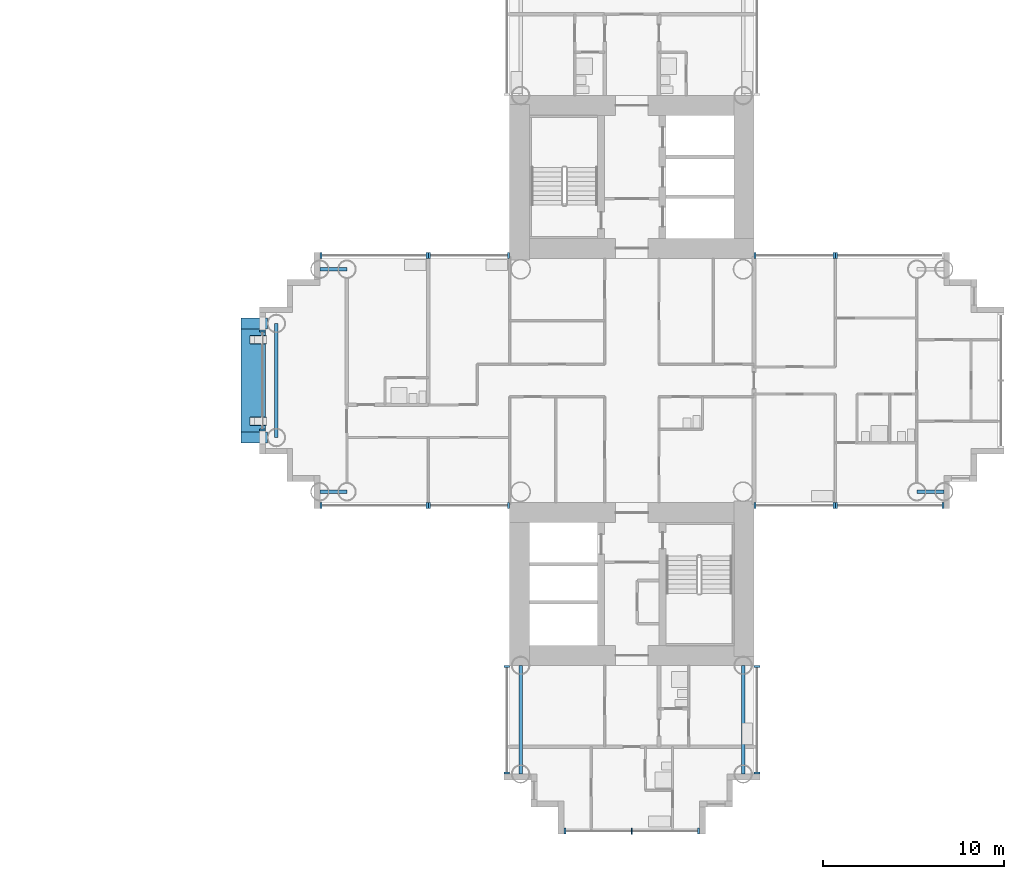
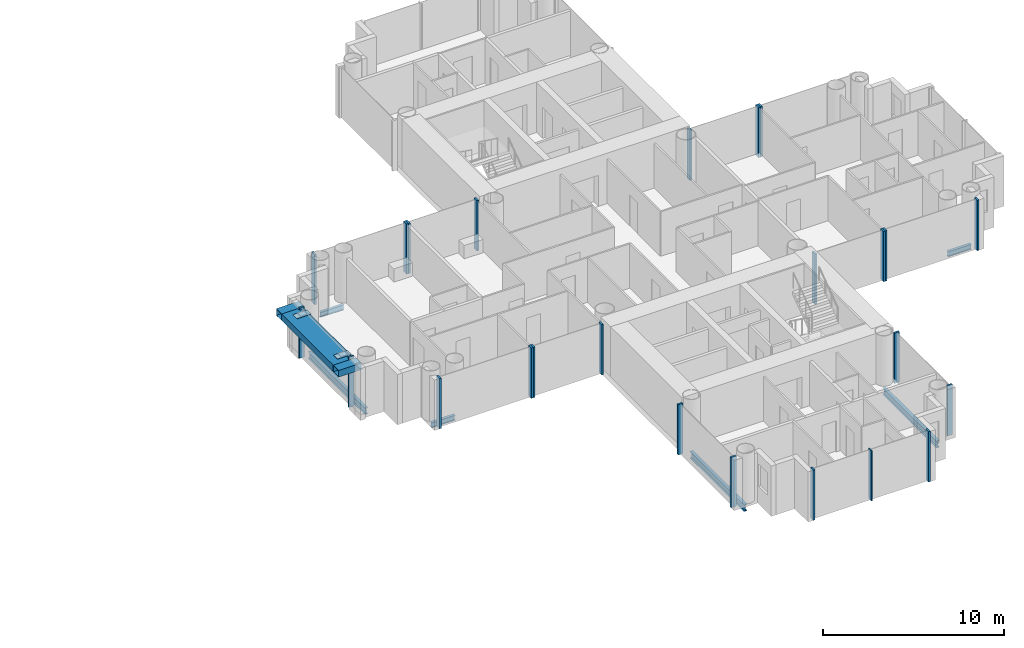
# One storey, part 5 of 22: 26 members, 9 beams, 12 elements without a shape of their own.
"""IFC4 building model written with IfcOpenShell, lengths in metres."""

from ifc_helpers import new_model, si_unit, direction, frame, origin, origin_2d, place, context, subcontext, project, spatial, rectangle, hollow_rectangle, i_section, extrude, material, layer, layer_set, material_profile, profile_set, type_object, element, aggregate, save


model = new_model("IFC4")

# Units and contexts
model_context = context("Model", 3, precision=1e-05, world=origin(), true_north=direction((0.0, 1.0)))
body_context = subcontext(model_context, "Body", "Model", "MODEL_VIEW")
ifc_project = project(units=[si_unit("LENGTHUNIT", "METRE"), si_unit("AREAUNIT", "SQUARE_METRE"), si_unit("VOLUMEUNIT", "CUBIC_METRE"), si_unit("PLANEANGLEUNIT", "RADIAN"), si_unit("MASSUNIT", "GRAM", prefix="KILO")], contexts=[model_context])

# Site, building, storey
site_placement = place(None, origin())
site = spatial("IfcSite", under=ifc_project, at=site_placement, CompositionType="ELEMENT")
building_placement = place(site_placement, origin())
building = spatial("IfcBuilding", under=site, at=building_placement, Name="Ipe Terrace Towers", CompositionType="ELEMENT")
storey_placement = place(building_placement, frame((0.0, 0.0, 68.699951171875)))
storey = spatial("IfcBuildingStorey", under=building, at=storey_placement, Name="L18", CompositionType="ELEMENT", Elevation=68.699951171875)

# Beams
ifc_material_1 = material(Name="Steel S355", Category="steel")
ifc_material_profile_1 = material_profile(ifc_material_1, hollow_rectangle(XDim=0.60009765625, YDim=0.449951171875, WallThickness=0.02490234375, at=origin_2d()), Name="BRIDGE-CORBEL BOX 600x450x25")
ifc_profile_set_1 = profile_set([ifc_material_profile_1], Name="Steel S355")
beam_type_1 = type_object("IfcBeamType", Name="BRIDGE-CORBEL BOX 600x450x25", PredefinedType="USERDEFINED", material=ifc_profile_set_1)
for number, where, z_axis, x_axis, name in (
    (1, (15.85107421875, -3.14990234375, 2.7451171875), (-1.0, 0.0, 0.0), (0.0, -1.0, 0.0), "BR1-CB-T2-S bearing seat arm"),
    (2, (15.85107421875, 3.14990234375, 2.7451171875), (-1.0, 0.0, 0.0), (0.0, -1.0, 0.0), "BR1-CB-T2-N bearing seat arm"),
):
    element("IfcBeam", number, at=place(storey_placement, frame(where, z_axis=z_axis, x_axis=x_axis)), inside=storey, type_object=beam_type_1, Name=name, ObjectType="CORBEL", PredefinedType="USERDEFINED", context=body_context, shape_type="SweptSolid", body=[
        extrude(hollow_rectangle(XDim=0.60009765625, YDim=0.449951171875, WallThickness=0.02490234375, at=origin_2d()), origin(), (0.0, 0.0, 1.0), 1.451171875),
    ])
ifc_material_2 = material(Name="Steel S355", Category="steel")
ifc_material_profile_2 = material_profile(ifc_material_2, hollow_rectangle(XDim=1.35009765625, YDim=0.449951171875, WallThickness=0.02490234375, at=origin_2d()), Name="BRIDGE-SEAT BEAM BOX 1350x450x25")
ifc_profile_set_2 = profile_set([ifc_material_profile_2], Name="Steel S355")
beam_type_2 = type_object("IfcBeamType", Name="BRIDGE-SEAT BEAM BOX 1350x450x25", PredefinedType="USERDEFINED", material=ifc_profile_set_2)
beam_1_placement = place(storey_placement, frame((15.074951171875, -2.85009765625, 2.7451171875), z_axis=(0.0, 1.0, 0.0), x_axis=(-1.0, 0.0, 0.0)))
element("IfcBeam", 3, at=beam_1_placement, inside=storey, type_object=beam_type_2, Name="BR1-SB-T2 bearing seat beam", ObjectType="SEAT BEAM", PredefinedType="USERDEFINED", context=body_context, shape_type="SweptSolid", body=[
    extrude(hollow_rectangle(XDim=1.35009765625, YDim=0.449951171875, WallThickness=0.02490234375, at=origin_2d()), origin(), (0.0, 0.0, 1.0), 5.7001953125),
])

# Members
ifc_material_3 = material(Name="Steel S355", Category="steel")
member_type_1 = type_object("IfcMemberType", Name="BRIDGE-SLIDE PLATE 900x450x10", PredefinedType="PLATE", material=ifc_material_3)
for number, where, z_axis, x_axis, name in (
    (4, (15.35009765625, -2.25, 2.97021484375), (0.0, 0.0, 1.0), (1.0, 0.0, 0.0), "BR1-PL-T2-S slide plate"),
    (5, (15.35009765625, 2.25, 2.97021484375), (0.0, 0.0, 1.0), (1.0, 0.0, 0.0), "BR1-PL-T2-N slide plate"),
):
    element("IfcMember", number, at=place(storey_placement, frame(where, z_axis=z_axis, x_axis=x_axis)), inside=storey, type_object=member_type_1, Name=name, PredefinedType="PLATE", context=body_context, shape_type="SweptSolid", body=[
        extrude(rectangle(XDim=0.89990234375, YDim=0.449951171875, at=origin_2d()), origin(), (0.0, 0.0, 1.0), 0.010009765625),
    ])

# Beams
ifc_material_4 = material(Name="Steel S355", Category="steel")
ifc_material_profile_3 = material_profile(ifc_material_4, i_section(OverallWidth=0.175048828125, OverallDepth=0.35009765625, WebThickness=0.007080078125, FlangeThickness=0.010986328125, at=origin_2d()), Name="H-350x175x7x11")
ifc_profile_set_3 = profile_set([ifc_material_profile_3], Name="Steel S355")
beam_type_3 = type_object("IfcBeamType", Name="H04 EDGE BEAM H-350x175x7x11", PredefinedType="BEAM", material=ifc_profile_set_3)
for number, where, z_axis, x_axis, name in (
    (6, (20.25, 6.14990234375, -0.574951171875), (-1.0, 0.0, 0.0), (0.0, -1.0, 0.0), "Edge beam T2-EB-B03-B05"),
    (7, (20.25, -6.14990234375, -0.574951171875), (-1.0, 0.0, 0.0), (0.0, -1.0, 0.0), "Edge beam T2-EB-B04-B06"),
    (8, (51.75, -6.14990234375, -0.574951171875), (1.0, 0.0, 0.0), (0.0, 1.0, 0.0), "Edge beam T2-EB-D03-D05"),
):
    element("IfcBeam", number, at=place(storey_placement, frame(where, z_axis=z_axis, x_axis=x_axis)), inside=storey, type_object=beam_type_3, Name=name, PredefinedType="BEAM", context=body_context, shape_type="SweptSolid", body=[
        extrude(i_section(OverallWidth=0.175048828125, OverallDepth=0.35009765625, WebThickness=0.007080078125, FlangeThickness=0.010986328125, at=origin_2d()), origin(), (0.0, 0.0, 1.0), 1.5),
    ])
ifc_material_5 = material(Name="Steel S355", Category="steel")
ifc_material_profile_4 = material_profile(ifc_material_5, i_section(OverallWidth=0.199951171875, OverallDepth=0.449951171875, WebThickness=0.009033203125, FlangeThickness=0.013916015625, at=origin_2d()), Name="H-450x200x9x14")
ifc_profile_set_4 = profile_set([ifc_material_profile_4], Name="Steel S355")
beam_type_4 = type_object("IfcBeamType", Name="H08 EDGE BEAM H-450x200x9x14", PredefinedType="BEAM", material=ifc_profile_set_4)
beam_2_placement = place(storey_placement, frame((16.35009765625, 3.14990234375, -0.625), z_axis=(0.0, -1.0, 0.0), x_axis=(1.0, 0.0, 0.0)))
element("IfcBeam", 9, at=beam_2_placement, inside=storey, type_object=beam_type_4, Name="Edge beam T2-EB-B07-B08", PredefinedType="BEAM", context=body_context, shape_type="SweptSolid", body=[
    extrude(i_section(OverallWidth=0.199951171875, OverallDepth=0.449951171875, WebThickness=0.009033203125, FlangeThickness=0.013916015625, at=origin_2d()), origin(), (0.0, 0.0, 1.0), 6.2998046875),
])
for number, where, z_axis, x_axis, name in (
    (10, (42.14990234375, -15.75, -0.625), (0.0, -1.0, 0.0), (1.0, 0.0, 0.0), "Edge beam T2-EB-C01-C03"),
    (11, (29.85009765625, -15.75, -0.625), (0.0, -1.0, 0.0), (1.0, 0.0, 0.0), "Edge beam T2-EB-C02-C04"),
):
    element("IfcBeam", number, at=place(storey_placement, frame(where, z_axis=z_axis, x_axis=x_axis)), inside=storey, type_object=beam_type_4, Name=name, PredefinedType="BEAM", context=body_context, shape_type="SweptSolid", body=[
        extrude(i_section(OverallWidth=0.199951171875, OverallDepth=0.449951171875, WebThickness=0.009033203125, FlangeThickness=0.013916015625, at=origin_2d()), origin(), (0.0, 0.0, 1.0), 6.0),
    ])

# Curtain wall, members
ifc_material_6 = material(Name="Aluminium alloy 6063-T6", Category="aluminium")
ifc_layer = layer(ifc_material_6, 0.320068359375)
ifc_layer_set = layer_set([ifc_layer], Name="TOWER UNITISED CURTAIN WALL")
curtain_wall_type = type_object("IfcCurtainWallType", Name="TOWER UNITISED CURTAIN WALL", PredefinedType="NOTDEFINED", material=ifc_layer_set)
curtain_wall_1_placement = place(storey_placement, origin())
curtain_wall_1 = element("IfcCurtainWall", 12, at=curtain_wall_1_placement, inside=storey, type_object=curtain_wall_type, Name="T2-CW-L18-04a curtain wall", PredefinedType="NOTDEFINED")
ifc_material_7 = material(Name="Aluminium alloy 6063-T6", Category="aluminium")
ifc_material_profile_5 = material_profile(ifc_material_7, rectangle(XDim=0.320068359375, YDim=0.1201171875, at=origin_2d()), Name="TOWER UNITISED CORNER MULLION 320 x 120")
ifc_profile_set_5 = profile_set([ifc_material_profile_5], Name="Aluminium alloy 6063-T6")
member_type_2 = type_object("IfcMemberType", Name="TOWER UNITISED CORNER MULLION 320 x 120", PredefinedType="MULLION", material=ifc_profile_set_5)
member_1_placement = place(storey_placement, frame((42.909912109375, -21.68994140625, -0.300048828125), z_axis=(0.0, 0.0, 1.0), x_axis=(1.0, 0.0, 0.0)))
member_1 = element("IfcMember", 13, at=member_1_placement, type_object=member_type_2, Name="T2-CW-L18-04a mullion 1", PredefinedType="MULLION", context=body_context, shape_type="SweptSolid", body=[
    extrude(rectangle(XDim=0.320068359375, YDim=0.1201171875, at=origin_2d()), origin(), (0.0, 0.0, 1.0), 3.400146484375),
])
member_2_placement = place(storey_placement, frame((42.909912109375, -15.81103515625, -0.300048828125), z_axis=(0.0, 0.0, 1.0), x_axis=(1.0, 0.0, 0.0)))
member_2 = element("IfcMember", 14, at=member_2_placement, type_object=member_type_2, Name="T2-CW-L18-04a mullion 2", PredefinedType="MULLION", context=body_context, shape_type="SweptSolid", body=[
    extrude(rectangle(XDim=0.320068359375, YDim=0.1201171875, at=origin_2d()), origin(), (0.0, 0.0, 1.0), 3.400146484375),
])
aggregate(curtain_wall_1, [member_1, member_2])

curtain_wall_2_placement = place(storey_placement, origin())
curtain_wall_2 = element("IfcCurtainWall", 15, at=curtain_wall_2_placement, inside=storey, type_object=curtain_wall_type, Name="T2-CW-L18-06a curtain wall", PredefinedType="NOTDEFINED")
member_3_placement = place(storey_placement, frame((42.81005859375, -6.909912109375, -0.300048828125), z_axis=(0.0, 0.0, 1.0), x_axis=(0.0, -1.0, 0.0)))
member_3 = element("IfcMember", 16, at=member_3_placement, type_object=member_type_2, Name="T2-CW-L18-06a mullion 1", PredefinedType="MULLION", context=body_context, shape_type="SweptSolid", body=[
    extrude(rectangle(XDim=0.320068359375, YDim=0.1201171875, at=origin_2d()), origin(), (0.0, 0.0, 1.0), 3.400146484375),
])
member_4_placement = place(storey_placement, frame((47.18994140625, -6.909912109375, -0.300048828125), z_axis=(0.0, 0.0, 1.0), x_axis=(0.0, -1.0, 0.0)))
member_4 = element("IfcMember", 17, at=member_4_placement, type_object=member_type_2, Name="T2-CW-L18-06a mullion 2", PredefinedType="MULLION", context=body_context, shape_type="SweptSolid", body=[
    extrude(rectangle(XDim=0.320068359375, YDim=0.1201171875, at=origin_2d()), origin(), (0.0, 0.0, 1.0), 3.400146484375),
])
aggregate(curtain_wall_2, [member_3, member_4])

curtain_wall_3_placement = place(storey_placement, origin())
curtain_wall_3 = element("IfcCurtainWall", 18, at=curtain_wall_3_placement, inside=storey, type_object=curtain_wall_type, Name="T2-CW-L18-07a curtain wall", PredefinedType="NOTDEFINED")
member_5_placement = place(storey_placement, frame((47.31005859375, -6.909912109375, -0.300048828125), z_axis=(0.0, 0.0, 1.0), x_axis=(0.0, -1.0, 0.0)))
member_5 = element("IfcMember", 19, at=member_5_placement, type_object=member_type_2, Name="T2-CW-L18-07a mullion 1", PredefinedType="MULLION", context=body_context, shape_type="SweptSolid", body=[
    extrude(rectangle(XDim=0.320068359375, YDim=0.1201171875, at=origin_2d()), origin(), (0.0, 0.0, 1.0), 3.400146484375),
])
member_6_placement = place(storey_placement, frame((53.18994140625, -6.909912109375, -0.300048828125), z_axis=(0.0, 0.0, 1.0), x_axis=(0.0, -1.0, 0.0)))
member_6 = element("IfcMember", 20, at=member_6_placement, type_object=member_type_2, Name="T2-CW-L18-07a mullion 2", PredefinedType="MULLION", context=body_context, shape_type="SweptSolid", body=[
    extrude(rectangle(XDim=0.320068359375, YDim=0.1201171875, at=origin_2d()), origin(), (0.0, 0.0, 1.0), 3.400146484375),
])
aggregate(curtain_wall_3, [member_5, member_6])

# Curtain wall, member
curtain_wall_4_placement = place(storey_placement, origin())
curtain_wall_4 = element("IfcCurtainWall", 21, at=curtain_wall_4_placement, inside=storey, type_object=curtain_wall_type, Name="T2-CW-L18-17a curtain wall", PredefinedType="NOTDEFINED")
member_7_placement = place(storey_placement, frame((47.31005859375, 6.909912109375, -0.300048828125), z_axis=(0.0, 0.0, 1.0), x_axis=(0.0, 1.0, 0.0)))
member_7 = element("IfcMember", 22, at=member_7_placement, type_object=member_type_2, Name="T2-CW-L18-17a mullion 2", PredefinedType="MULLION", context=body_context, shape_type="SweptSolid", body=[
    extrude(rectangle(XDim=0.320068359375, YDim=0.1201171875, at=origin_2d()), origin(), (0.0, 0.0, 1.0), 3.400146484375),
])
aggregate(curtain_wall_4, [member_7])

# Curtain wall, members
curtain_wall_5_placement = place(storey_placement, origin())
curtain_wall_5 = element("IfcCurtainWall", 23, at=curtain_wall_5_placement, inside=storey, type_object=curtain_wall_type, Name="T2-CW-L18-18a curtain wall", PredefinedType="NOTDEFINED")
member_8_placement = place(storey_placement, frame((47.18994140625, 6.909912109375, -0.300048828125), z_axis=(0.0, 0.0, 1.0), x_axis=(0.0, 1.0, 0.0)))
member_8 = element("IfcMember", 24, at=member_8_placement, type_object=member_type_2, Name="T2-CW-L18-18a mullion 1", PredefinedType="MULLION", context=body_context, shape_type="SweptSolid", body=[
    extrude(rectangle(XDim=0.320068359375, YDim=0.1201171875, at=origin_2d()), origin(), (0.0, 0.0, 1.0), 3.400146484375),
])
member_9_placement = place(storey_placement, frame((42.81005859375, 6.909912109375, -0.300048828125), z_axis=(0.0, 0.0, 1.0), x_axis=(0.0, 1.0, 0.0)))
member_9 = element("IfcMember", 25, at=member_9_placement, type_object=member_type_2, Name="T2-CW-L18-18a mullion 2", PredefinedType="MULLION", context=body_context, shape_type="SweptSolid", body=[
    extrude(rectangle(XDim=0.320068359375, YDim=0.1201171875, at=origin_2d()), origin(), (0.0, 0.0, 1.0), 3.400146484375),
])
aggregate(curtain_wall_5, [member_8, member_9])

curtain_wall_6_placement = place(storey_placement, origin())
curtain_wall_6 = element("IfcCurtainWall", 26, at=curtain_wall_6_placement, inside=storey, type_object=curtain_wall_type, Name="T2-CW-L18-32a curtain wall", PredefinedType="NOTDEFINED")
member_10_placement = place(storey_placement, frame((29.18994140625, 6.909912109375, -0.300048828125), z_axis=(0.0, 0.0, 1.0), x_axis=(0.0, 1.0, 0.0)))
member_10 = element("IfcMember", 27, at=member_10_placement, type_object=member_type_2, Name="T2-CW-L18-32a mullion 1", PredefinedType="MULLION", context=body_context, shape_type="SweptSolid", body=[
    extrude(rectangle(XDim=0.320068359375, YDim=0.1201171875, at=origin_2d()), origin(), (0.0, 0.0, 1.0), 3.400146484375),
])
member_11_placement = place(storey_placement, frame((24.81005859375, 6.909912109375, -0.300048828125), z_axis=(0.0, 0.0, 1.0), x_axis=(0.0, 1.0, 0.0)))
member_11 = element("IfcMember", 28, at=member_11_placement, type_object=member_type_2, Name="T2-CW-L18-32a mullion 2", PredefinedType="MULLION", context=body_context, shape_type="SweptSolid", body=[
    extrude(rectangle(XDim=0.320068359375, YDim=0.1201171875, at=origin_2d()), origin(), (0.0, 0.0, 1.0), 3.400146484375),
])
aggregate(curtain_wall_6, [member_10, member_11])

curtain_wall_7_placement = place(storey_placement, origin())
curtain_wall_7 = element("IfcCurtainWall", 29, at=curtain_wall_7_placement, inside=storey, type_object=curtain_wall_type, Name="T2-CW-L18-33a curtain wall", PredefinedType="NOTDEFINED")
member_12_placement = place(storey_placement, frame((24.68994140625, 6.909912109375, -0.300048828125), z_axis=(0.0, 0.0, 1.0), x_axis=(0.0, 1.0, 0.0)))
member_12 = element("IfcMember", 30, at=member_12_placement, type_object=member_type_2, Name="T2-CW-L18-33a mullion 1", PredefinedType="MULLION", context=body_context, shape_type="SweptSolid", body=[
    extrude(rectangle(XDim=0.320068359375, YDim=0.1201171875, at=origin_2d()), origin(), (0.0, 0.0, 1.0), 3.400146484375),
])
member_13_placement = place(storey_placement, frame((18.81005859375, 6.909912109375, -0.300048828125), z_axis=(0.0, 0.0, 1.0), x_axis=(0.0, 1.0, 0.0)))
member_13 = element("IfcMember", 31, at=member_13_placement, type_object=member_type_2, Name="T2-CW-L18-33a mullion 2", PredefinedType="MULLION", context=body_context, shape_type="SweptSolid", body=[
    extrude(rectangle(XDim=0.320068359375, YDim=0.1201171875, at=origin_2d()), origin(), (0.0, 0.0, 1.0), 3.400146484375),
])
aggregate(curtain_wall_7, [member_12, member_13])

curtain_wall_8_placement = place(storey_placement, origin())
curtain_wall_8 = element("IfcCurtainWall", 32, at=curtain_wall_8_placement, inside=storey, type_object=curtain_wall_type, Name="T2-CW-L18-38d curtain wall", PredefinedType="NOTDEFINED")
member_14_placement = place(storey_placement, frame((15.590087890625, 2.739990234375, -0.300048828125), z_axis=(0.0, 0.0, 1.0), x_axis=(-1.0, 0.0, 0.0)))
member_14 = element("IfcMember", 33, at=member_14_placement, type_object=member_type_2, Name="T2-CW-L18-38d mullion 1", PredefinedType="MULLION", context=body_context, shape_type="SweptSolid", body=[
    extrude(rectangle(XDim=0.320068359375, YDim=0.1201171875, at=origin_2d()), origin(), (0.0, 0.0, 1.0), 3.400146484375),
])
member_15_placement = place(storey_placement, frame((15.590087890625, -2.739990234375, -0.300048828125), z_axis=(0.0, 0.0, 1.0), x_axis=(-1.0, 0.0, 0.0)))
member_15 = element("IfcMember", 34, at=member_15_placement, type_object=member_type_2, Name="T2-CW-L18-38d mullion 2", PredefinedType="MULLION", context=body_context, shape_type="SweptSolid", body=[
    extrude(rectangle(XDim=0.320068359375, YDim=0.1201171875, at=origin_2d()), origin(), (0.0, 0.0, 1.0), 3.400146484375),
])
aggregate(curtain_wall_8, [member_14, member_15])

curtain_wall_9_placement = place(storey_placement, origin())
curtain_wall_9 = element("IfcCurtainWall", 35, at=curtain_wall_9_placement, inside=storey, type_object=curtain_wall_type, Name="T2-CW-L18-43a curtain wall", PredefinedType="NOTDEFINED")
member_16_placement = place(storey_placement, frame((18.81005859375, -6.909912109375, -0.300048828125), z_axis=(0.0, 0.0, 1.0), x_axis=(0.0, -1.0, 0.0)))
member_16 = element("IfcMember", 36, at=member_16_placement, type_object=member_type_2, Name="T2-CW-L18-43a mullion 1", PredefinedType="MULLION", context=body_context, shape_type="SweptSolid", body=[
    extrude(rectangle(XDim=0.320068359375, YDim=0.1201171875, at=origin_2d()), origin(), (0.0, 0.0, 1.0), 3.400146484375),
])
member_17_placement = place(storey_placement, frame((24.68994140625, -6.909912109375, -0.300048828125), z_axis=(0.0, 0.0, 1.0), x_axis=(0.0, -1.0, 0.0)))
member_17 = element("IfcMember", 37, at=member_17_placement, type_object=member_type_2, Name="T2-CW-L18-43a mullion 2", PredefinedType="MULLION", context=body_context, shape_type="SweptSolid", body=[
    extrude(rectangle(XDim=0.320068359375, YDim=0.1201171875, at=origin_2d()), origin(), (0.0, 0.0, 1.0), 3.400146484375),
])
aggregate(curtain_wall_9, [member_16, member_17])

curtain_wall_10_placement = place(storey_placement, origin())
curtain_wall_10 = element("IfcCurtainWall", 38, at=curtain_wall_10_placement, inside=storey, type_object=curtain_wall_type, Name="T2-CW-L18-44a curtain wall", PredefinedType="NOTDEFINED")
member_18_placement = place(storey_placement, frame((24.81005859375, -6.909912109375, -0.300048828125), z_axis=(0.0, 0.0, 1.0), x_axis=(0.0, -1.0, 0.0)))
member_18 = element("IfcMember", 39, at=member_18_placement, type_object=member_type_2, Name="T2-CW-L18-44a mullion 1", PredefinedType="MULLION", context=body_context, shape_type="SweptSolid", body=[
    extrude(rectangle(XDim=0.320068359375, YDim=0.1201171875, at=origin_2d()), origin(), (0.0, 0.0, 1.0), 3.400146484375),
])
member_19_placement = place(storey_placement, frame((29.18994140625, -6.909912109375, -0.300048828125), z_axis=(0.0, 0.0, 1.0), x_axis=(0.0, -1.0, 0.0)))
member_19 = element("IfcMember", 40, at=member_19_placement, type_object=member_type_2, Name="T2-CW-L18-44a mullion 2", PredefinedType="MULLION", context=body_context, shape_type="SweptSolid", body=[
    extrude(rectangle(XDim=0.320068359375, YDim=0.1201171875, at=origin_2d()), origin(), (0.0, 0.0, 1.0), 3.400146484375),
])
aggregate(curtain_wall_10, [member_18, member_19])

curtain_wall_11_placement = place(storey_placement, origin())
curtain_wall_11 = element("IfcCurtainWall", 41, at=curtain_wall_11_placement, inside=storey, type_object=curtain_wall_type, Name="T2-CW-L18-46b curtain wall", PredefinedType="NOTDEFINED")
member_20_placement = place(storey_placement, frame((29.090087890625, -15.81103515625, -0.300048828125), z_axis=(0.0, 0.0, 1.0), x_axis=(-1.0, 0.0, 0.0)))
member_20 = element("IfcMember", 42, at=member_20_placement, type_object=member_type_2, Name="T2-CW-L18-46b mullion 1", PredefinedType="MULLION", context=body_context, shape_type="SweptSolid", body=[
    extrude(rectangle(XDim=0.320068359375, YDim=0.1201171875, at=origin_2d()), origin(), (0.0, 0.0, 1.0), 3.400146484375),
])
member_21_placement = place(storey_placement, frame((29.090087890625, -21.68994140625, -0.300048828125), z_axis=(0.0, 0.0, 1.0), x_axis=(-1.0, 0.0, 0.0)))
member_21 = element("IfcMember", 43, at=member_21_placement, type_object=member_type_2, Name="T2-CW-L18-46b mullion 2", PredefinedType="MULLION", context=body_context, shape_type="SweptSolid", body=[
    extrude(rectangle(XDim=0.320068359375, YDim=0.1201171875, at=origin_2d()), origin(), (0.0, 0.0, 1.0), 3.400146484375),
])
aggregate(curtain_wall_11, [member_20, member_21])

curtain_wall_12_placement = place(storey_placement, origin())
curtain_wall_12 = element("IfcCurtainWall", 44, at=curtain_wall_12_placement, inside=storey, type_object=curtain_wall_type, Name="T2-CW-L18-51a curtain wall", PredefinedType="NOTDEFINED")
member_22_placement = place(storey_placement, frame((32.31005859375, -24.909912109375, -0.300048828125), z_axis=(0.0, 0.0, 1.0), x_axis=(0.0, -1.0, 0.0)))
member_22 = element("IfcMember", 45, at=member_22_placement, type_object=member_type_2, Name="T2-CW-L18-51a mullion 1", PredefinedType="MULLION", context=body_context, shape_type="SweptSolid", body=[
    extrude(rectangle(XDim=0.320068359375, YDim=0.1201171875, at=origin_2d()), origin(), (0.0, 0.0, 1.0), 3.400146484375),
])
member_23_placement = place(storey_placement, frame((39.68994140625, -24.909912109375, -0.300048828125), z_axis=(0.0, 0.0, 1.0), x_axis=(0.0, -1.0, 0.0)))
member_23 = element("IfcMember", 46, at=member_23_placement, type_object=member_type_2, Name="T2-CW-L18-51a mullion 3", PredefinedType="MULLION", context=body_context, shape_type="SweptSolid", body=[
    extrude(rectangle(XDim=0.320068359375, YDim=0.1201171875, at=origin_2d()), origin(), (0.0, 0.0, 1.0), 3.400146484375),
])
ifc_material_8 = material(Name="Aluminium alloy 6063-T6", Category="aluminium")
ifc_material_profile_6 = material_profile(ifc_material_8, rectangle(XDim=0.320068359375, YDim=0.06494140625, at=origin_2d()), Name="TOWER UNITISED MULLION 320 x 65")
ifc_profile_set_6 = profile_set([ifc_material_profile_6], Name="Aluminium alloy 6063-T6")
member_type_3 = type_object("IfcMemberType", Name="TOWER UNITISED MULLION 320 x 65", PredefinedType="MULLION", material=ifc_profile_set_6)
member_24_placement = place(storey_placement, frame((36.0, -24.909912109375, -0.300048828125), z_axis=(0.0, 0.0, 1.0), x_axis=(0.0, -1.0, 0.0)))
member_24 = element("IfcMember", 47, at=member_24_placement, type_object=member_type_3, Name="T2-CW-L18-51a mullion 2", PredefinedType="MULLION", context=body_context, shape_type="SweptSolid", body=[
    extrude(rectangle(XDim=0.320068359375, YDim=0.06494140625, at=origin_2d()), origin(), (0.0, 0.0, 1.0), 3.400146484375),
])
aggregate(curtain_wall_12, [member_22, member_24, member_23])

save(model, "model.ifc")
